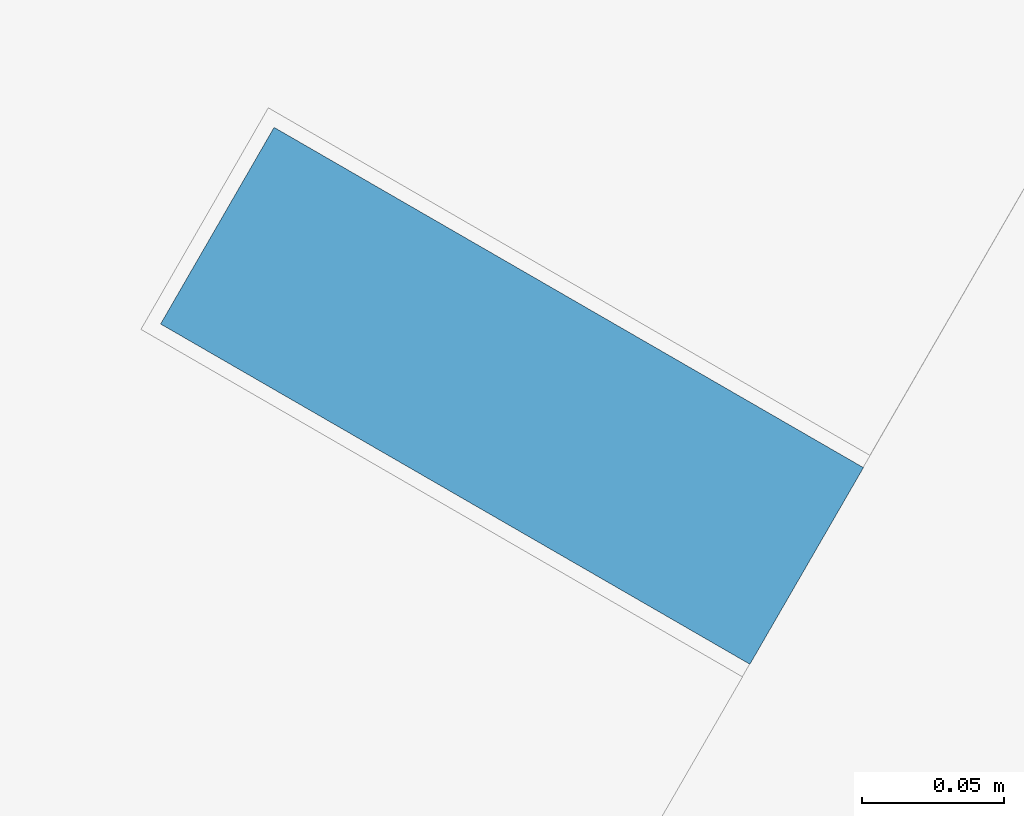
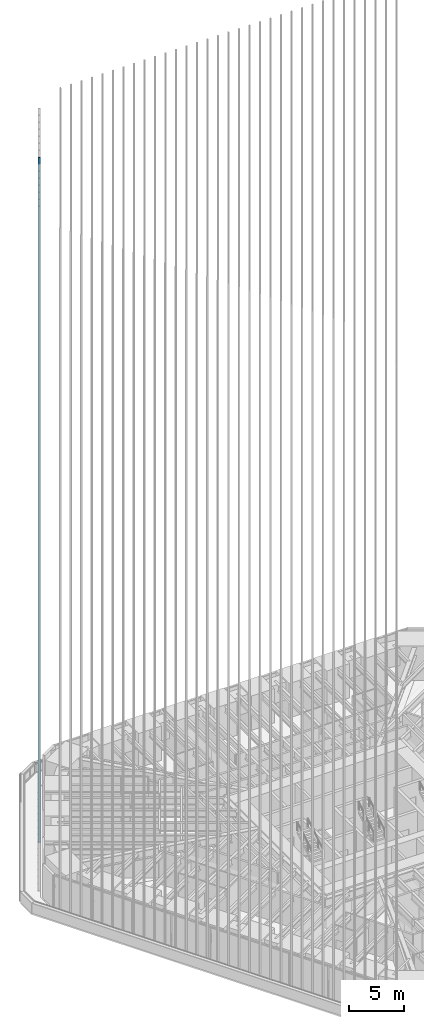
# One storey, part 136 of 238: 1 member, 1 element without a shape of its own.
"""IFC4 building model written with IfcOpenShell, lengths in metres."""

from ifc_helpers import new_model, si_unit, direction, frame, origin, origin_2d, place, context, subcontext, project, spatial, rectangle, extrude, material, material_profile, profile_set, type_object, element, aggregate, save


model = new_model("IFC4")

# Units and contexts
model_context = context("Model", 3, precision=1e-05, world=origin(), true_north=direction((0.0, 1.0)))
body_context = subcontext(model_context, "Body", "Model", "MODEL_VIEW")
ifc_project = project(units=[si_unit("LENGTHUNIT", "METRE"), si_unit("AREAUNIT", "SQUARE_METRE"), si_unit("VOLUMEUNIT", "CUBIC_METRE"), si_unit("PLANEANGLEUNIT", "RADIAN"), si_unit("MASSUNIT", "GRAM", prefix="KILO")], contexts=[model_context])

# Site, building, storey
site_placement = place(None, origin())
site = spatial("IfcSite", under=ifc_project, at=site_placement, CompositionType="ELEMENT")
building_placement = place(site_placement, origin())
building = spatial("IfcBuilding", under=site, at=building_placement, Name="Sandreach Pilgrim Tower", CompositionType="ELEMENT")
storey_placement = place(building_placement, frame((0.0, 0.0, 96.800048828125)))
storey = spatial("IfcBuildingStorey", under=building, at=storey_placement, Name="L23", CompositionType="ELEMENT", Elevation=96.800048828125)

# Curtain wall, member
ifc_material_1 = material(Name="Aluminium framed curtain wall", Category="aluminium")
curtain_wall_type = type_object("IfcCurtainWallType", Name="Hotel tower curtain wall", PredefinedType="NOTDEFINED", material=ifc_material_1)
curtain_wall_placement = place(storey_placement, origin())
curtain_wall = element("IfcCurtainWall", 1, at=curtain_wall_placement, inside=storey, type_object=curtain_wall_type, Name="CW-2 L23 NW", PredefinedType="NOTDEFINED")
ifc_material_2 = material(Name="Extruded terracotta on aluminium core", Category="masonry")
ifc_material_profile = material_profile(ifc_material_2, rectangle(XDim=0.080078125, YDim=0.239990234375, at=origin_2d()), Name="TBW 80X240")
ifc_profile_set = profile_set([ifc_material_profile], Name="Extruded terracotta on aluminium core")
member_type = type_object("IfcMemberType", Name="Terracotta baguette west", PredefinedType="USERDEFINED", material=ifc_profile_set)
member_placement = place(storey_placement, frame((-24.77880859375, 14.30615234375, 0.0), z_axis=(0.0, 0.0, 1.0), x_axis=(0.5, 0.866025403784, 0.0)))
member = element("IfcMember", 2, at=member_placement, type_object=member_type, Name="Baguette Z2 NW08", ObjectType="BAGUETTE", PredefinedType="USERDEFINED", context=body_context, shape_type="SweptSolid", body=[
    extrude(rectangle(XDim=0.080078125, YDim=0.239990234375, at=origin_2d()), origin(), (0.0, 0.0, 1.0), 75.83984375),
])
aggregate(curtain_wall, [member])

save(model, "model.ifc")
